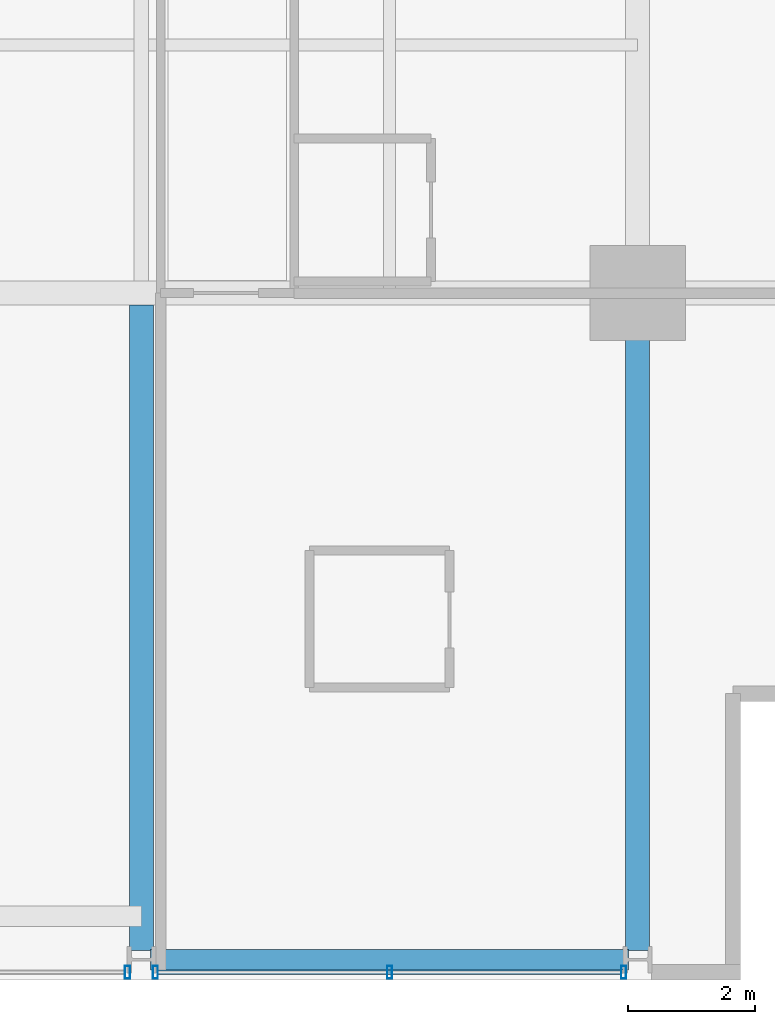
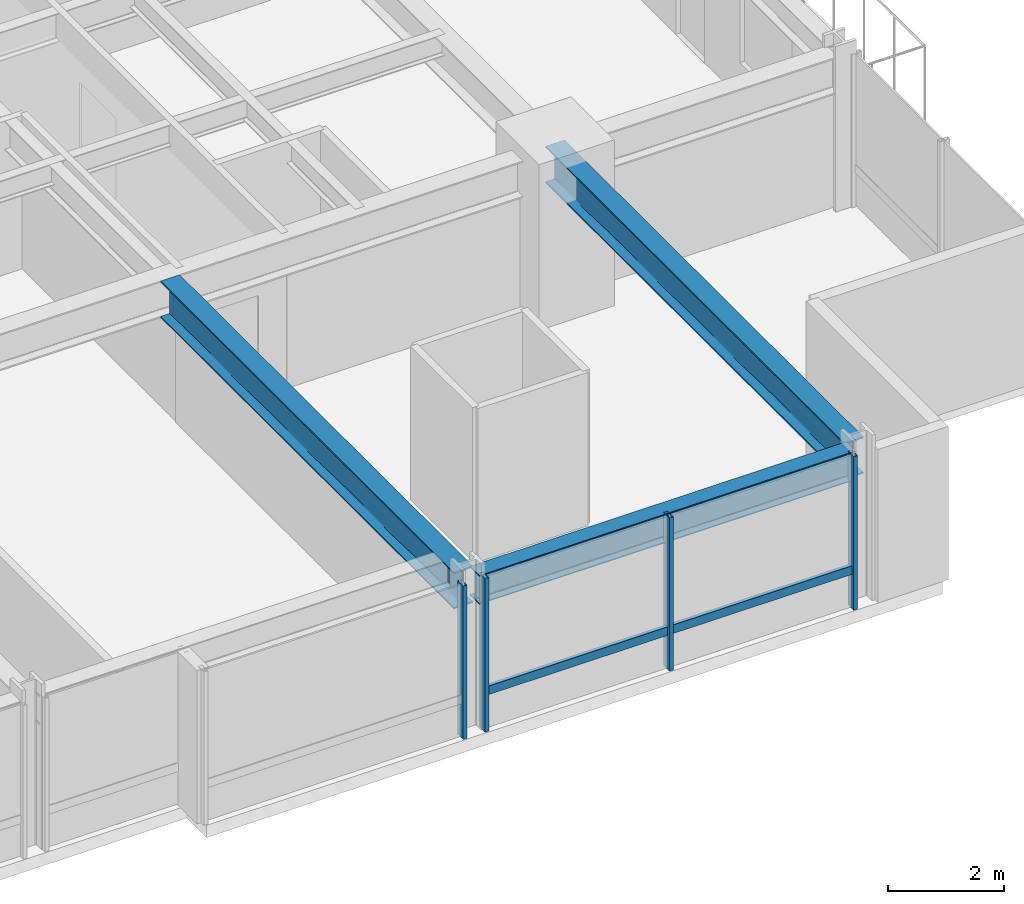
# One storey, part 11 of 34: 5 members, 3 beams, 2 elements without a shape of their own.
"""IFC4 building model written with IfcOpenShell, lengths in metres."""

from ifc_helpers import new_model, si_unit, direction, frame, origin, origin_2d, place, context, subcontext, project, spatial, hollow_rectangle, i_section, extrude, material, layer, layer_set, material_profile, profile_set, type_object, element, aggregate, save


model = new_model("IFC4")

# Units and contexts
model_context = context("Model", 3, precision=1e-05, world=origin(), true_north=direction((0.0, 1.0)))
body_context = subcontext(model_context, "Body", "Model", "MODEL_VIEW")
ifc_project = project(units=[si_unit("LENGTHUNIT", "METRE"), si_unit("AREAUNIT", "SQUARE_METRE"), si_unit("VOLUMEUNIT", "CUBIC_METRE"), si_unit("PLANEANGLEUNIT", "RADIAN"), si_unit("MASSUNIT", "GRAM", prefix="KILO")], contexts=[model_context])

# Site, building, storey
site_placement = place(None, origin())
site = spatial("IfcSite", under=ifc_project, at=site_placement, CompositionType="ELEMENT")
building_placement = place(site_placement, origin())
building = spatial("IfcBuilding", under=site, at=building_placement, Name="Drelvath Grand Hotel", CompositionType="ELEMENT")
storey_placement = place(building_placement, frame((0.0, 0.0, 112.800048828125)))
storey = spatial("IfcBuildingStorey", under=building, at=storey_placement, Name="L28", CompositionType="ELEMENT", Elevation=112.800048828125)

# Curtain wall, member
ifc_material_1 = material(Name="Champagne Bronze Anodised Aluminium Frame", Category="aluminium")
ifc_layer = layer(ifc_material_1, 0.199951171875)
ifc_layer_set = layer_set([ifc_layer], Name="Champagne Bronze Anodised Aluminium Frame")
curtain_wall_type = type_object("IfcCurtainWallType", Name="Stick Curtain Wall CW-03 Champagne Bronze Mid-Rise", PredefinedType="NOTDEFINED", material=ifc_layer_set)
curtain_wall_1_placement = place(storey_placement, origin())
curtain_wall_1 = element("IfcCurtainWall", 1, at=curtain_wall_1_placement, inside=storey, type_object=curtain_wall_type, Name="L28 CW-03 Curtain Wall CW03-L28-SE2", PredefinedType="NOTDEFINED")
ifc_material_profile_1 = material_profile(ifc_material_1, hollow_rectangle(XDim=0.074951171875, YDim=0.179931640625, WallThickness=0.0048828125, at=origin_2d()), Name="HSS180X75X5")
ifc_profile_set_1 = profile_set([ifc_material_profile_1], Name="Champagne Bronze Anodised Aluminium Frame")
member_type_1 = type_object("IfcMemberType", Name="Curtain Wall Horizontal Transom CW-03 HSS180X75X5", PredefinedType="USERDEFINED", material=ifc_profile_set_1)
member_1_placement = place(storey_placement, frame((15.9404296875, 0.1201171875, 0.81005859375), z_axis=(-1.0, 0.0, 0.0), x_axis=(0.0, -1.0, 0.0)))
member_1 = element("IfcMember", 2, at=member_1_placement, type_object=member_type_1, Name="CW03-L28-SE2 Sill Transom", ObjectType="TRANSOM", PredefinedType="USERDEFINED", context=body_context, shape_type="SweptSolid", body=[
    extrude(hollow_rectangle(XDim=0.074951171875, YDim=0.179931640625, WallThickness=0.0048828125, at=origin_2d()), origin(), (0.0, 0.0, 1.0), 7.28076171875),
])

curtain_wall_2_placement = place(storey_placement, origin())
curtain_wall_2 = element("IfcCurtainWall", 3, at=curtain_wall_2_placement, inside=storey, type_object=curtain_wall_type, Name="L28 CW-03 Curtain Wall CW03-L28-SE1", PredefinedType="NOTDEFINED")
ifc_material_profile_2 = material_profile(ifc_material_1, hollow_rectangle(XDim=0.080078125, YDim=0.199951171875, WallThickness=0.0048828125, at=origin_2d()), Name="HSS200X80X5")
ifc_profile_set_2 = profile_set([ifc_material_profile_2], Name="Champagne Bronze Anodised Aluminium Frame")
member_type_2 = type_object("IfcMemberType", Name="Curtain Wall Vertical Mullion CW-03 HSS200X80X5", PredefinedType="MULLION", material=ifc_profile_set_2)
member_2_placement = place(storey_placement, frame((8.180419921875, 0.1201171875, 0.0), z_axis=(0.0, 0.0, 1.0), x_axis=(1.0, 0.0, 0.0)))
member_2 = element("IfcMember", 4, at=member_2_placement, type_object=member_type_2, Name="CW03-L28-SE1 Mullion 1", PredefinedType="MULLION", context=body_context, shape_type="SweptSolid", body=[
    extrude(hollow_rectangle(XDim=0.080078125, YDim=0.199951171875, WallThickness=0.0048828125, at=origin_2d()), origin(), (0.0, 0.0, 1.0), 3.239990234375),
])
aggregate(curtain_wall_2, [member_2])

# Member
member_3_placement = place(storey_placement, frame((15.98046875, 0.1201171875, 0.0), z_axis=(0.0, 0.0, 1.0), x_axis=(1.0, 0.0, 0.0)))
member_3 = element("IfcMember", 5, at=member_3_placement, type_object=member_type_2, Name="CW03-L28-SE2 Mullion 1", PredefinedType="MULLION", context=body_context, shape_type="SweptSolid", body=[
    extrude(hollow_rectangle(XDim=0.080078125, YDim=0.199951171875, WallThickness=0.0048828125, at=origin_2d()), origin(), (0.0, 0.0, 1.0), 3.239990234375),
])

member_4_placement = place(storey_placement, frame((12.300048828125, 0.1201171875, 0.0), z_axis=(0.0, 0.0, 1.0), x_axis=(1.0, 0.0, 0.0)))
member_4 = element("IfcMember", 6, at=member_4_placement, type_object=member_type_2, Name="CW03-L28-SE2 Mullion 2", PredefinedType="MULLION", context=body_context, shape_type="SweptSolid", body=[
    extrude(hollow_rectangle(XDim=0.080078125, YDim=0.199951171875, WallThickness=0.0048828125, at=origin_2d()), origin(), (0.0, 0.0, 1.0), 3.239990234375),
])

member_5_placement = place(storey_placement, frame((8.61962890625, 0.1201171875, 0.0), z_axis=(0.0, 0.0, 1.0), x_axis=(1.0, 0.0, 0.0)))
member_5 = element("IfcMember", 7, at=member_5_placement, type_object=member_type_2, Name="CW03-L28-SE2 Mullion 3", PredefinedType="MULLION", context=body_context, shape_type="SweptSolid", body=[
    extrude(hollow_rectangle(XDim=0.080078125, YDim=0.199951171875, WallThickness=0.0048828125, at=origin_2d()), origin(), (0.0, 0.0, 1.0), 3.239990234375),
])

aggregate(curtain_wall_1, [member_3, member_4, member_5, member_1])

# Beams
ifc_material_2 = material(Name="Steel ASTM A992 Gr 50", Category="steel")
ifc_material_profile_3 = material_profile(ifc_material_2, i_section(OverallWidth=0.323974609375, OverallDepth=0.611083984375, WebThickness=0.0126953125, FlangeThickness=0.01904296875, FilletRadius=0.02197265625, at=origin_2d()), Name="W24X104")
ifc_profile_set_3 = profile_set([ifc_material_profile_3], Name="Steel ASTM A992 Gr 50")
beam_type_1 = type_object("IfcBeamType", Name="Perimeter Spandrel Beam W24X104", PredefinedType="SPANDREL", material=ifc_profile_set_3)
beam_1_placement = place(storey_placement, frame((8.5400390625, 0.320068359375, 2.9345703125), z_axis=(1.0, 0.0, 0.0), x_axis=(0.0, 1.0, 0.0)))
element("IfcBeam", 8, at=beam_1_placement, inside=storey, type_object=beam_type_1, Name="L28 Spandrel South E", PredefinedType="SPANDREL", context=body_context, shape_type="SweptSolid", body=[
    extrude(i_section(OverallWidth=0.323974609375, OverallDepth=0.611083984375, WebThickness=0.0126953125, FlangeThickness=0.01904296875, FilletRadius=0.02197265625, at=origin_2d()), origin(), (0.0, 0.0, 1.0), 7.52001953125),
])
ifc_material_profile_4 = material_profile(ifc_material_2, i_section(OverallWidth=0.380615234375, OverallDepth=0.773193359375, WebThickness=0.0166015625, FlangeThickness=0.027099609375, FilletRadius=0.02490234375, at=origin_2d()), Name="W30X173")
ifc_profile_set_4 = profile_set([ifc_material_profile_4], Name="Steel ASTM A992 Gr 50")
beam_type_2 = type_object("IfcBeamType", Name="Primary Floor Girder W30X173", PredefinedType="BEAM", material=ifc_profile_set_4)
beam_2_placement = place(storey_placement, frame((16.199951171875, 0.4599609375, 2.853271484375), z_axis=(0.0, 1.0, 0.0), x_axis=(-1.0, 0.0, 0.0)))
element("IfcBeam", 9, at=beam_2_placement, inside=storey, type_object=beam_type_2, Name="L28 South Grid Girder 7", PredefinedType="BEAM", context=body_context, shape_type="SweptSolid", body=[
    extrude(i_section(OverallWidth=0.380615234375, OverallDepth=0.773193359375, WebThickness=0.0166015625, FlangeThickness=0.027099609375, FilletRadius=0.02490234375, at=origin_2d()), origin(), (0.0, 0.0, 1.0), 10.340087890625),
])
beam_3_placement = place(storey_placement, frame((8.39990234375, 0.4599609375, 2.853271484375), z_axis=(0.0, 1.0, 0.0), x_axis=(-1.0, 0.0, 0.0)))
element("IfcBeam", 10, at=beam_3_placement, inside=storey, type_object=beam_type_2, Name="L28 South Wing Girder 6", PredefinedType="BEAM", context=body_context, shape_type="SweptSolid", body=[
    extrude(i_section(OverallWidth=0.380615234375, OverallDepth=0.773193359375, WebThickness=0.0166015625, FlangeThickness=0.027099609375, FilletRadius=0.02490234375, at=origin_2d()), origin(), (0.0, 0.0, 1.0), 10.149658203125),
])

save(model, "model.ifc")
